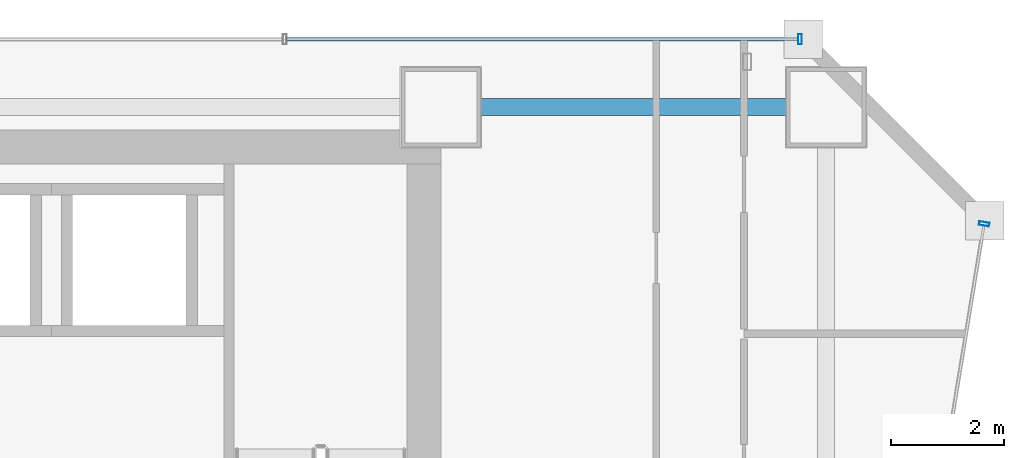
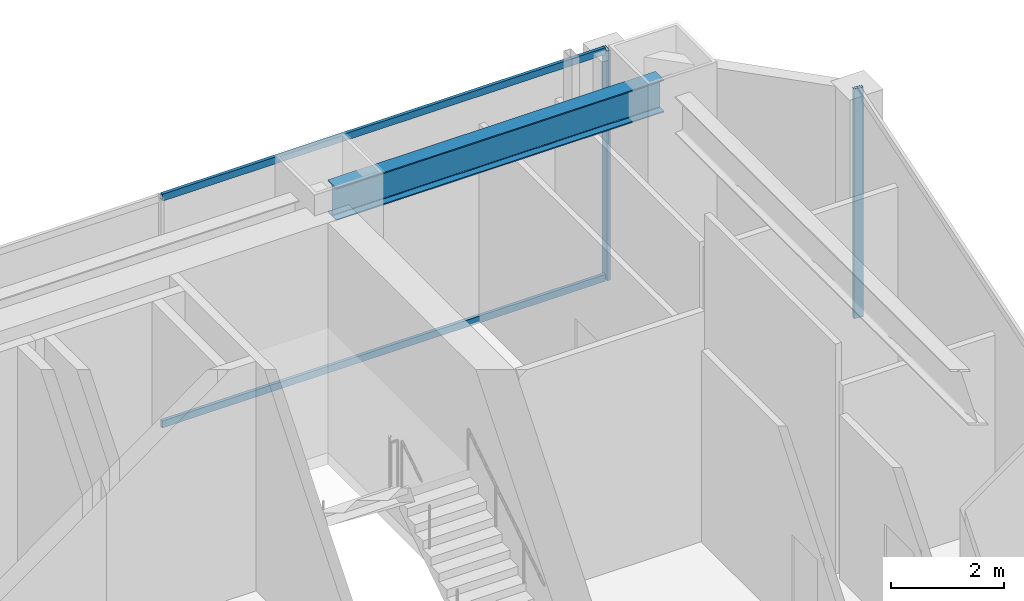
# One storey, part 35 of 42: 4 members, 1 beam, 2 elements without a shape of their own.
"""IFC4 building model written with IfcOpenShell, lengths in metres."""

from ifc_helpers import new_model, si_unit, direction, frame, origin, origin_2d, place, context, subcontext, project, spatial, hollow_rectangle, i_section, extrude, material, material_profile, profile_set, type_object, element, aggregate, save


model = new_model("IFC4")

# Units and contexts
model_context = context("Model", 3, precision=1e-05, world=origin(), true_north=direction((0.0, 1.0)))
body_context = subcontext(model_context, "Body", "Model", "MODEL_VIEW")
ifc_project = project(units=[si_unit("LENGTHUNIT", "METRE"), si_unit("AREAUNIT", "SQUARE_METRE"), si_unit("VOLUMEUNIT", "CUBIC_METRE"), si_unit("PLANEANGLEUNIT", "RADIAN"), si_unit("MASSUNIT", "GRAM", prefix="KILO")], contexts=[model_context])

# Site, building, storey
site_placement = place(None, origin())
site = spatial("IfcSite", under=ifc_project, at=site_placement, CompositionType="ELEMENT")
building_placement = place(site_placement, origin())
building = spatial("IfcBuilding", under=site, at=building_placement, Name="Saevonmaru Cultural Tower", CompositionType="ELEMENT")
storey_placement = place(building_placement, frame((0.0, 0.0, 33.0)))
storey = spatial("IfcBuildingStorey", under=building, at=storey_placement, Name="L06", CompositionType="ELEMENT", Elevation=33.0)

# Beam
ifc_material_1 = material(Name="Steel SM355", Category="steel")
ifc_material_profile_1 = material_profile(ifc_material_1, i_section(OverallWidth=0.300048828125, OverallDepth=0.699951171875, WebThickness=0.012939453125, FlangeThickness=0.02392578125, FilletRadius=0.02587890625, at=origin_2d()), Name="H-700x300x13x24")
ifc_profile_set_1 = profile_set([ifc_material_profile_1], Name="Steel SM355")
beam_type = type_object("IfcBeamType", Name="BM-SP-H700", PredefinedType="SPANDREL", material=ifc_profile_set_1)
beam_placement = place(storey_placement, frame((46.4599609375, 54.800048828125, 4.60009765625), z_axis=(1.0, 0.0, 0.0), x_axis=(0.0, 1.0, 0.0)))
element("IfcBeam", 1, at=beam_placement, inside=storey, type_object=beam_type, Name="L06 North Spine Girder 5", PredefinedType="SPANDREL", context=body_context, shape_type="SweptSolid", body=[
    extrude(i_section(OverallWidth=0.300048828125, OverallDepth=0.699951171875, WebThickness=0.012939453125, FlangeThickness=0.02392578125, FilletRadius=0.02587890625, at=origin_2d()), origin(), (0.0, 0.0, 1.0), 6.679931640625),
])

# Curtain wall, member
ifc_material_2 = material(Name="Satin Bronze Anodised Aluminium", Category="aluminium")
curtain_wall_type = type_object("IfcCurtainWallType", Name="CW-SKY-GLZ", PredefinedType="NOTDEFINED", material=ifc_material_2)
curtain_wall_1_placement = place(storey_placement, origin())
curtain_wall_1 = element("IfcCurtainWall", 2, at=curtain_wall_1_placement, inside=storey, type_object=curtain_wall_type, Name="L06 Unitised Curtain Wall E8", PredefinedType="NOTDEFINED")
ifc_material_profile_2 = material_profile(ifc_material_2, hollow_rectangle(XDim=0.06494140625, YDim=0.179931640625, WallThickness=0.00390625, at=origin_2d()), Name="ALU-MULL-180x65x4")
ifc_profile_set_2 = profile_set([ifc_material_profile_2], Name="Satin Bronze Anodised Aluminium")
member_type_1 = type_object("IfcMemberType", Name="ML-CW-180x65", PredefinedType="MULLION", material=ifc_profile_set_2)
member_1_placement = place(storey_placement, frame((55.990234375, 52.74072265625, 0.0), z_axis=(0.0, 0.0, 1.0), x_axis=(0.161708868641, 0.986838508472, 0.0)))
member_1 = element("IfcMember", 3, at=member_1_placement, type_object=member_type_1, Name="CW-TW-L06-E8 mullion 6", PredefinedType="MULLION", context=body_context, shape_type="SweptSolid", body=[
    extrude(hollow_rectangle(XDim=0.06494140625, YDim=0.179931640625, WallThickness=0.00390625, at=origin_2d()), origin(), (0.0, 0.0, 1.0), 4.949951171875),
])
aggregate(curtain_wall_1, [member_1])

# Curtain wall, members
curtain_wall_2_placement = place(storey_placement, origin())
curtain_wall_2 = element("IfcCurtainWall", 4, at=curtain_wall_2_placement, inside=storey, type_object=curtain_wall_type, Name="L06 Unitised Curtain Wall E10", PredefinedType="NOTDEFINED")
member_2_placement = place(storey_placement, frame((52.739990234375, 56.0, 0.0), z_axis=(0.0, 0.0, 1.0), x_axis=(-1.0, 0.0, 0.0)))
member_2 = element("IfcMember", 5, at=member_2_placement, type_object=member_type_1, Name="CW-TW-L06-E10 mullion 1", PredefinedType="MULLION", context=body_context, shape_type="SweptSolid", body=[
    extrude(hollow_rectangle(XDim=0.06494140625, YDim=0.179931640625, WallThickness=0.00390625, at=origin_2d()), origin(), (0.0, 0.0, 1.0), 4.949951171875),
])
ifc_material_profile_3 = material_profile(ifc_material_2, hollow_rectangle(XDim=0.06494140625, YDim=0.14990234375, WallThickness=0.00390625, at=origin_2d()), Name="ALU-TRAN-150x65x4")
ifc_profile_set_3 = profile_set([ifc_material_profile_3], Name="Satin Bronze Anodised Aluminium")
member_type_2 = type_object("IfcMemberType", Name="TR-CW-150x65", PredefinedType="USERDEFINED", material=ifc_profile_set_3)
member_3_placement = place(storey_placement, frame((52.70751953125, 56.0, 0.032470703125), z_axis=(-1.0, 0.0, 0.0), x_axis=(0.0, -1.0, 0.0)))
member_3 = element("IfcMember", 6, at=member_3_placement, type_object=member_type_2, Name="CW-TW-L06-E10 transom 1.1", ObjectType="TRANSOM", PredefinedType="USERDEFINED", context=body_context, shape_type="SweptSolid", body=[
    extrude(hollow_rectangle(XDim=0.06494140625, YDim=0.14990234375, WallThickness=0.00390625, at=origin_2d()), origin(), (0.0, 0.0, 1.0), 9.031005859375),
])
member_4_placement = place(storey_placement, frame((52.70751953125, 56.0, 4.91748046875), z_axis=(-1.0, 0.0, 0.0), x_axis=(0.0, -1.0, 0.0)))
member_4 = element("IfcMember", 7, at=member_4_placement, type_object=member_type_2, Name="CW-TW-L06-E10 transom 1.2", ObjectType="TRANSOM", PredefinedType="USERDEFINED", context=body_context, shape_type="SweptSolid", body=[
    extrude(hollow_rectangle(XDim=0.06494140625, YDim=0.14990234375, WallThickness=0.00390625, at=origin_2d()), origin(), (0.0, 0.0, 1.0), 9.031005859375),
])
aggregate(curtain_wall_2, [member_2, member_3, member_4])

save(model, "model.ifc")
